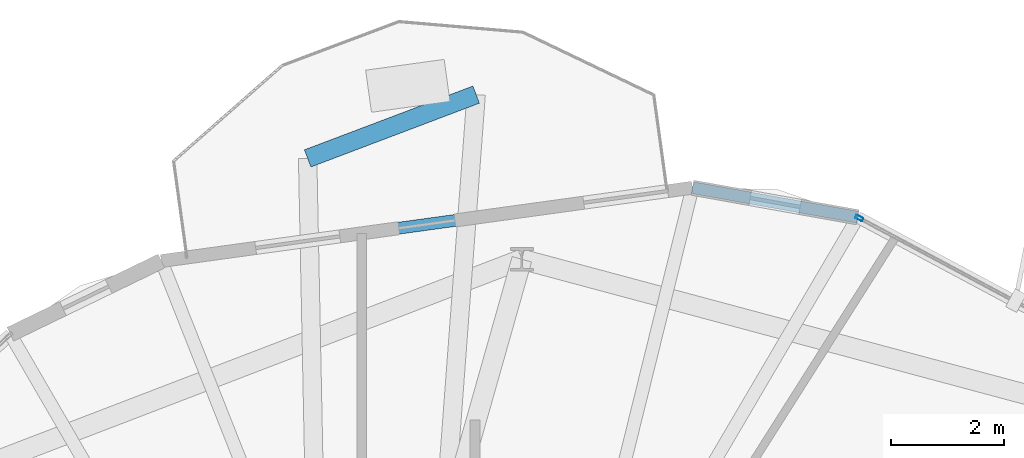
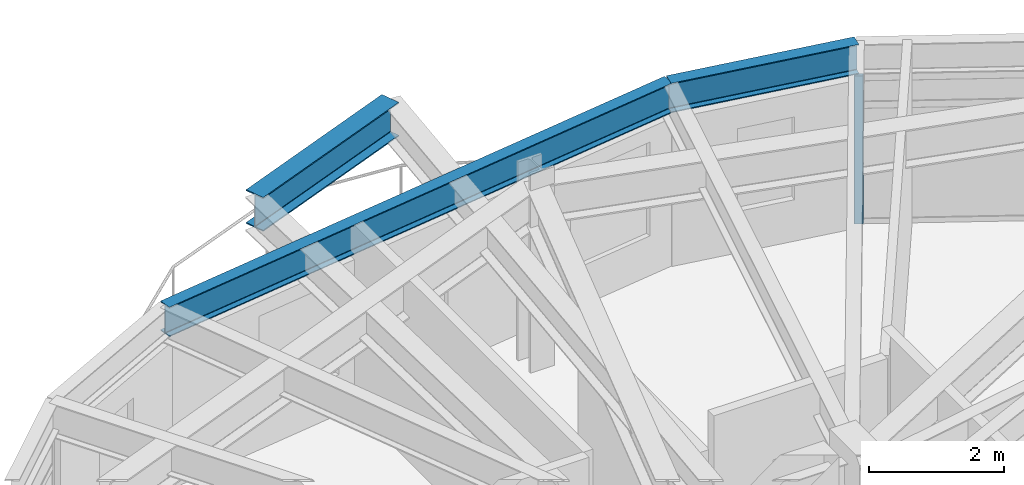
# One storey, part 17 of 26: 3 beams, 1 member, 1 element without a shape of its own.
"""IFC4 building model written with IfcOpenShell, lengths in metres."""

from ifc_helpers import new_model, si_unit, direction, frame, origin, origin_2d, place, context, subcontext, project, spatial, hollow_rectangle, i_section, extrude, material, layer, layer_set, material_profile, profile_set, type_object, element, aggregate, save


model = new_model("IFC4")

# Units and contexts
model_context = context("Model", 3, precision=1e-05, world=origin(), true_north=direction((0.0, 1.0)))
body_context = subcontext(model_context, "Body", "Model", "MODEL_VIEW")
ifc_project = project(units=[si_unit("LENGTHUNIT", "METRE"), si_unit("AREAUNIT", "SQUARE_METRE"), si_unit("VOLUMEUNIT", "CUBIC_METRE"), si_unit("PLANEANGLEUNIT", "RADIAN"), si_unit("MASSUNIT", "GRAM", prefix="KILO")], contexts=[model_context])

# Site, building, storey
site_placement = place(None, origin())
site = spatial("IfcSite", under=ifc_project, at=site_placement, CompositionType="ELEMENT")
building_placement = place(site_placement, origin())
building = spatial("IfcBuilding", under=site, at=building_placement, Name="Soratama Intermodal Tower", CompositionType="ELEMENT")
storey_placement = place(building_placement, frame((0.0, 0.0, 194.199951171875)))
storey = spatial("IfcBuildingStorey", under=building, at=storey_placement, Name="L48", CompositionType="ELEMENT", Elevation=194.199951171875)

# Beams
ifc_material_1 = material(Name="Structural steel ASTM A992 Grade 50", Category="steel")
ifc_material_profile_1 = material_profile(ifc_material_1, i_section(OverallWidth=0.324951171875, OverallDepth=0.615966796875, WebThickness=0.013916015625, FlangeThickness=0.021484375, FilletRadius=0.013916015625, at=origin_2d()), Name="W24X117")
ifc_profile_set_1 = profile_set([ifc_material_profile_1], Name="Structural steel ASTM A992 Grade 50")
beam_type_1 = type_object("IfcBeamType", Name="BM-CANT-W24X117", PredefinedType="BEAM", material=ifc_profile_set_1)
beam_1_placement = place(storey_placement, frame((43.219970703125, 46.48388671875, 2.991943359375), z_axis=(-0.935234103653, -0.354029901793, 0.0), x_axis=(0.354029901793, -0.935234103653, 0.0)))
element("IfcBeam", 1, at=beam_1_placement, inside=storey, type_object=beam_type_1, Name="BM-L48-CBHDR-2", PredefinedType="BEAM", context=body_context, shape_type="SweptSolid", body=[
    extrude(i_section(OverallWidth=0.324951171875, OverallDepth=0.615966796875, WebThickness=0.013916015625, FlangeThickness=0.021484375, FilletRadius=0.013916015625, at=origin_2d()), origin(), (0.0, 0.0, 1.0), 3.18310546875),
])
ifc_material_2 = material(Name="Structural steel ASTM A992 Grade 50", Category="steel")
ifc_material_profile_2 = material_profile(ifc_material_2, i_section(OverallWidth=0.2099609375, OverallDepth=0.537109375, WebThickness=0.010986328125, FlangeThickness=0.017333984375, FilletRadius=0.012939453125, at=origin_2d()), Name="W21X68")
ifc_profile_set_2 = profile_set([ifc_material_profile_2], Name="Structural steel ASTM A992 Grade 50")
beam_type_2 = type_object("IfcBeamType", Name="BM-SPN-W21X68", PredefinedType="SPANDREL", material=ifc_profile_set_2)
beam_2_placement = place(storey_placement, frame((49.9619140625, 44.318115234375, 3.031494140625), z_axis=(-0.984395001978, 0.175972952695, 0.0), x_axis=(-0.175972952695, -0.984395001978, 0.0)))
element("IfcBeam", 2, at=beam_2_placement, inside=storey, type_object=beam_type_2, Name="BS-L48-CRN01", PredefinedType="SPANDREL", context=body_context, shape_type="SweptSolid", body=[
    extrude(i_section(OverallWidth=0.2099609375, OverallDepth=0.537109375, WebThickness=0.010986328125, FlangeThickness=0.017333984375, FilletRadius=0.012939453125, at=origin_2d()), origin(), (0.0, 0.0, 1.0), 2.96630859375),
])
beam_3_placement = place(storey_placement, frame((47.0419921875, 44.840087890625, 3.031494140625), z_axis=(-0.9906075301, -0.136735954705, 0.0), x_axis=(0.136735954705, -0.9906075301, 0.0)))
element("IfcBeam", 3, at=beam_3_placement, inside=storey, type_object=beam_type_2, Name="BS-L48-F02", PredefinedType="SPANDREL", context=body_context, shape_type="SweptSolid", body=[
    extrude(i_section(OverallWidth=0.2099609375, OverallDepth=0.537109375, WebThickness=0.010986328125, FlangeThickness=0.017333984375, FilletRadius=0.012939453125, at=origin_2d()), origin(), (0.0, 0.0, 1.0), 9.471923828125),
])

# Curtain wall, member
ifc_material_3 = material(Name="Double-glazed aluminium curtain wall", Category="aluminium")
ifc_layer = layer(ifc_material_3, 0.159912109375)
ifc_layer_set = layer_set([ifc_layer], Name="Double-glazed aluminium curtain wall")
curtain_wall_type = type_object("IfcCurtainWallType", Name="CW-SYS-5", PredefinedType="NOTDEFINED", material=ifc_layer_set)
curtain_wall_placement = place(storey_placement, origin())
curtain_wall = element("IfcCurtainWall", 4, at=curtain_wall_placement, inside=storey, type_object=curtain_wall_type, Name="L48 Faceted Curtain Wall F01", PredefinedType="NOTDEFINED")
ifc_material_4 = material(Name="Anodised aluminium AA 6063-T6", Category="aluminium")
ifc_material_profile_3 = material_profile(ifc_material_4, hollow_rectangle(XDim=0.06494140625, YDim=0.139892578125, WallThickness=0.0048828125, InnerFilletRadius=0.0048828125, OuterFilletRadius=0.010009765625, at=origin_2d()), Name="CWM140X65X5")
ifc_profile_set_3 = profile_set([ifc_material_profile_3], Name="Anodised aluminium AA 6063-T6")
member_type = type_object("IfcMemberType", Name="MT-CWM-5", PredefinedType="MULLION", material=ifc_profile_set_3)
member_placement = place(storey_placement, frame((49.98828125, 44.3037109375, 0.0), z_axis=(0.0, 0.0, 1.0), x_axis=(-0.471624757296, -0.881799346964, 0.0)))
member = element("IfcMember", 5, at=member_placement, type_object=member_type, Name="CW-5 mullion 3", PredefinedType="MULLION", context=body_context, shape_type="SweptSolid", body=[
    extrude(hollow_rectangle(XDim=0.06494140625, YDim=0.139892578125, WallThickness=0.0048828125, InnerFilletRadius=0.0048828125, OuterFilletRadius=0.010009765625, at=origin_2d()), origin(), (0.0, 0.0, 1.0), 2.678955078125),
])
aggregate(curtain_wall, [member])

save(model, "model.ifc")
